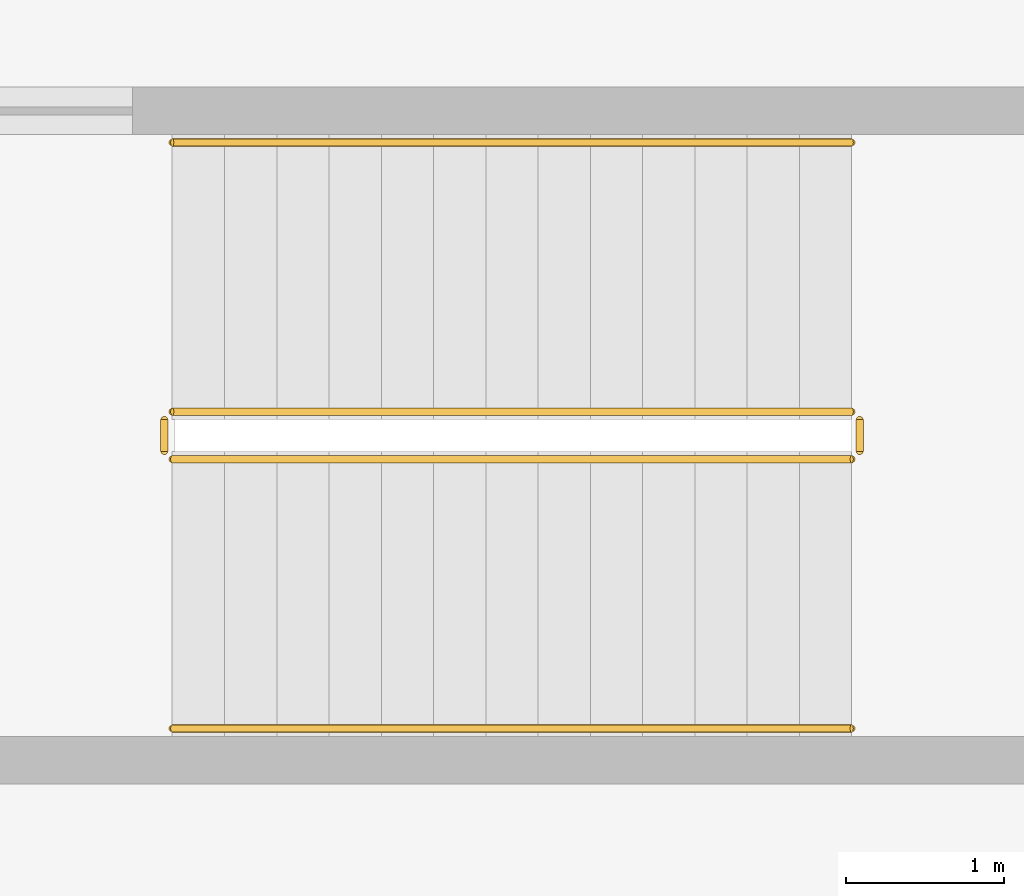
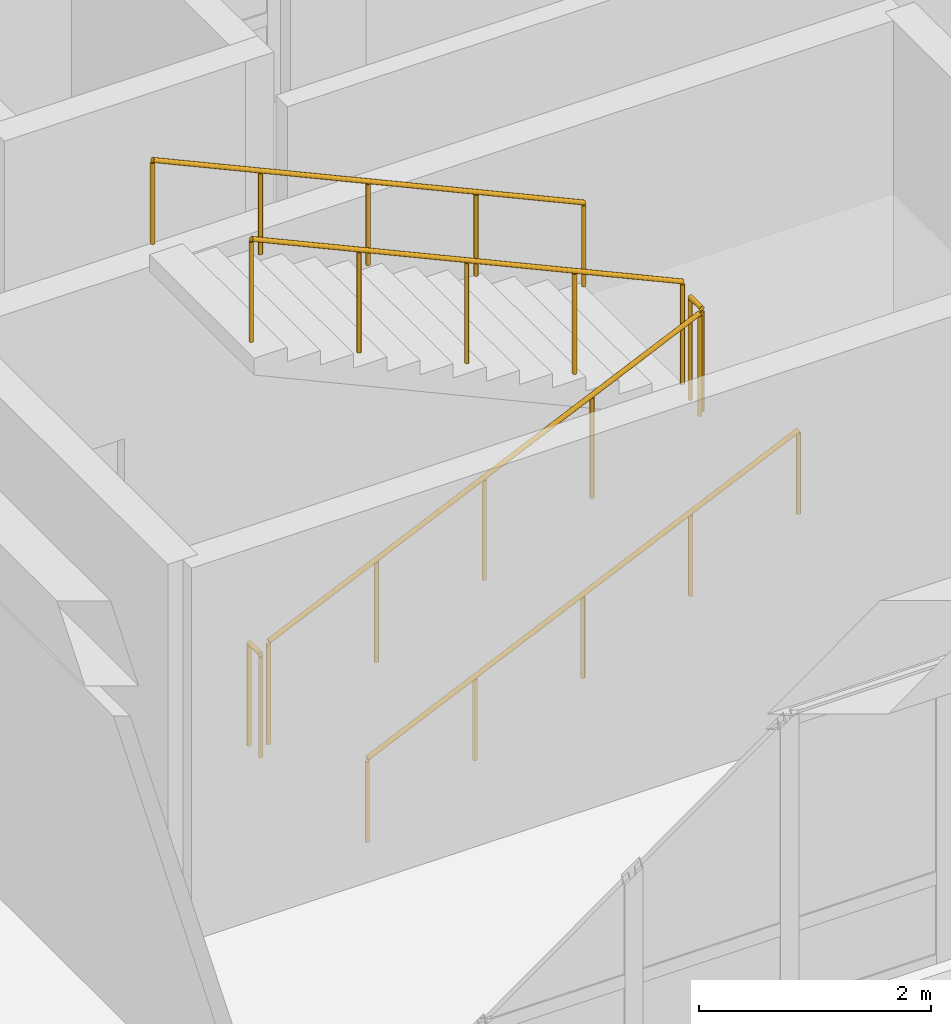
# One storey, part 144 of 147: 6 railings.
"""IFC4 building model written with IfcOpenShell, lengths in metres."""

import ifcopenshell
import ifcopenshell.guid

model = None  # the IFC model being written
_history = None  # IfcOwnerHistory: only IFC2X3 demands one
_inside = {}  # id of a spatial element -> (the spatial element, [elements in it])
_under = {}  # id of a project, library or spatial element -> (it, [spatial elements below it])
_declared = {}  # id of a project -> (the project, [libraries it declares])
_typed = {}  # id of a type object -> (the type object, [elements of that type])
_made_of = {}  # id of a material, layer set ... -> (it, [elements and type objects made of it])


def new_model(schema):
    """Start an empty IFC model of exactly this schema.

    Asked for "IFC4X3", IfcOpenShell would pick the latest addendum, in which some entities
    have other attributes; the version numbers below select the first issue.
    IFC2X3 requires an IfcOwnerHistory on every rooted entity: one is made here for all.
    """
    global model, _history
    if schema == "IFC4X3":
        model = ifcopenshell.file(schema_version=(4, 3, 0, 0))
    else:
        model = ifcopenshell.file(schema=schema)
    _inside.clear()
    _under.clear()
    _declared.clear()
    _typed.clear()
    _made_of.clear()
    _history = None
    if model.schema == "IFC2X3":
        org = make("IfcOrganization", Name="unknown")
        user = make(
            "IfcPersonAndOrganization",
            ThePerson=make("IfcPerson", FamilyName="unknown"),
            TheOrganization=org,
        )
        app = make(
            "IfcApplication",
            ApplicationDeveloper=org,
            Version="unknown",
            ApplicationFullName="unknown",
            ApplicationIdentifier="unknown",
        )
        _history = make(
            "IfcOwnerHistory",
            OwningUser=user,
            OwningApplication=app,
            ChangeAction="ADDED",
            CreationDate=0,
        )
    return model


def make(cls, **values):
    """One entity of the class cls with the attributes given. An attribute that is None is left unset."""
    return model.create_entity(
        cls, **{name: value for name, value in values.items() if value is not None}
    )


def rooted(cls, **values):
    """An entity with a GlobalId (a new one), such as an element, a storey or a relation."""
    return make(cls, GlobalId=ifcopenshell.guid.new(), OwnerHistory=_history, **values)


def si_unit(unit_type, name, prefix=None):
    """IfcSIUnit, for example si_unit("LENGTHUNIT", "METRE", prefix="MILLI")."""
    return make("IfcSIUnit", UnitType=unit_type, Prefix=prefix, Name=name)


def assignment(units):
    """IfcUnitAssignment: the units of a project."""
    return None if units is None else make("IfcUnitAssignment", Units=units)


def point(xyz):
    """IfcCartesianPoint."""
    return None if xyz is None else make("IfcCartesianPoint", Coordinates=xyz)


def direction(xyz):
    """IfcDirection."""
    return None if xyz is None else make("IfcDirection", DirectionRatios=xyz)


def frame(location, z_axis=None, x_axis=None):
    """IfcAxis2Placement3D, a coordinate frame: its origin and axes. An axis left out is left unset."""
    return make(
        "IfcAxis2Placement3D",
        Location=point(location),
        Axis=direction(z_axis),
        RefDirection=direction(x_axis),
    )


def frame_2d(location, x_axis=None):
    """IfcAxis2Placement2D, a coordinate frame in the plane: its origin and x axis."""
    return make(
        "IfcAxis2Placement2D", Location=point(location), RefDirection=direction(x_axis)
    )


def origin():
    """The frame at (0, 0, 0) with its axes left unset."""
    return frame((0.0, 0.0, 0.0))


def origin_2d():
    """The frame at (0, 0) in the plane with its x axis left unset."""
    return frame_2d((0.0, 0.0))


def place(relative_to, where):
    """IfcLocalPlacement: puts the frame where relative to a parent placement (None: the world)."""
    return make(
        "IfcLocalPlacement", PlacementRelTo=relative_to, RelativePlacement=where
    )


def context(
    kind, dimensions, precision=None, world=None, true_north=None, identifier=None
):
    """IfcGeometricRepresentationContext, for example the 3D "Model" context."""
    return make(
        "IfcGeometricRepresentationContext",
        ContextIdentifier=identifier,
        ContextType=kind,
        CoordinateSpaceDimension=dimensions,
        Precision=precision,
        WorldCoordinateSystem=world,
        TrueNorth=true_north,
    )


def subcontext(parent, identifier, kind, view, scale=None):
    """IfcGeometricRepresentationSubContext, for example "Body" below "Model"."""
    return make(
        "IfcGeometricRepresentationSubContext",
        ContextIdentifier=identifier,
        ContextType=kind,
        ParentContext=parent,
        TargetScale=scale,
        TargetView=view,
    )


def project(units=None, contexts=None):
    """IfcProject with its units and contexts."""
    return rooted(
        "IfcProject",
        Name="project",
        RepresentationContexts=contexts,
        UnitsInContext=assignment(units),
    )


def spatial(cls, under=None, at=None, **own):
    """A site, building, storey or space (cls), placed at a placement, below another one or the project."""
    s = rooted(cls, ObjectPlacement=at, **own)
    if under is not None:
        _under.setdefault(under.id(), (under, []))[1].append(s)
    return s


def profile(cls, at=None, kind="AREA", **sizes):
    """A parametric profile (cls). Its sizes go by their IFC names, for example OverallWidth=200.0."""
    return make(cls, ProfileType=kind, Position=at, **sizes)


def circle(**sizes):
    """IfcCircleProfileDef."""
    return profile("IfcCircleProfileDef", **sizes)


def extrude(swept, where, along, depth):
    """IfcExtrudedAreaSolid: the profile swept, set in the frame where, extruded along a direction by depth."""
    return make(
        "IfcExtrudedAreaSolid",
        SweptArea=swept,
        Position=where,
        ExtrudedDirection=direction(along),
        Depth=depth,
    )


def shape(context_of_items, identifier, shape_type, items):
    """IfcShapeRepresentation: the items that make up one representation, for example the "Body"."""
    return make(
        "IfcShapeRepresentation",
        ContextOfItems=context_of_items,
        RepresentationIdentifier=identifier,
        RepresentationType=shape_type,
        Items=items,
    )


def material(Name=None, Category=None):
    """IfcMaterial."""
    return make("IfcMaterial", Name=Name, Category=Category)


def layer(
    of_material, thickness, ventilated=None, Name=None, Category=None, Priority=None
):
    """IfcMaterialLayer: one layer of a wall or slab, of a material (None: an air gap)."""
    return make(
        "IfcMaterialLayer",
        Material=of_material,
        LayerThickness=thickness,
        IsVentilated=ventilated,
        Name=Name,
        Category=Category,
        Priority=Priority,
    )


def layer_set(layers, Name=None):
    """IfcMaterialLayerSet."""
    return make("IfcMaterialLayerSet", MaterialLayers=layers, LayerSetName=Name)


def made_of(thing, what):
    """Note that an element or type object is made of a material, layer set ...; save() writes the relation."""
    if what is not None:
        _made_of.setdefault(what.id(), (what, []))[1].append(thing)
    return thing


def type_object(cls, material=None, **own):
    """A type object (cls), such as IfcWallType, which elements share."""
    return made_of(rooted(cls, **own), material)


def element(
    cls,
    number,
    at=None,
    inside=None,
    cuts=None,
    type_object=None,
    material=None,
    context=None,
    identifier="Body",
    shape_type=None,
    held_by="IfcProductDefinitionShape",
    body=None,
    shapes=None,
    **own,
):
    """One element of the class cls, such as IfcWall. Its Tag is "e" and its number.

    at: its placement. inside: the storey or other place that contains it. cuts: it is an
    opening in that element (IfcRelVoidsElement). A single representation is given by context,
    identifier, shape_type and body (its items); several are given by shapes. held_by: the class
    of the entity that holds the representations. save() writes the other relations.
    """
    e = rooted(cls, Tag="e%d" % number, ObjectPlacement=at, **own)
    if body is not None:
        shapes = [shape(context, identifier, shape_type, body)]
    if shapes is not None:
        e.Representation = make(held_by, Representations=shapes)
    if inside is not None:
        _inside.setdefault(inside.id(), (inside, []))[1].append(e)
    if cuts is not None:
        rooted(
            "IfcRelVoidsElement", RelatingBuildingElement=cuts, RelatedOpeningElement=e
        )
    if type_object is not None:
        _typed.setdefault(type_object.id(), (type_object, []))[1].append(e)
    return made_of(e, material)


def aggregate(whole, parts):
    """IfcRelAggregates: a whole, such as a stair, and the parts it consists of."""
    return rooted("IfcRelAggregates", RelatingObject=whole, RelatedObjects=parts)


def save(model, path):
    """Write the relations noted so far, then the file.

    IfcRelAggregates (storeys below a building ...), IfcRelContainedInSpatialStructure (elements
    in a storey), IfcRelDefinesByType, IfcRelAssociatesMaterial and IfcRelDeclares: one each for
    every whole, place, type object, material and project.
    """
    for whole, parts in _under.values():
        aggregate(whole, parts)
    for where, things in _inside.values():
        rooted(
            "IfcRelContainedInSpatialStructure",
            RelatedElements=things,
            RelatingStructure=where,
        )
    for kind, things in _typed.values():
        rooted("IfcRelDefinesByType", RelatedObjects=things, RelatingType=kind)
    for what, things in _made_of.values():
        rooted("IfcRelAssociatesMaterial", RelatedObjects=things, RelatingMaterial=what)
    for by, libraries in _declared.values():
        rooted("IfcRelDeclares", RelatingContext=by, RelatedDefinitions=libraries)
    model.write(path)


model = new_model("IFC4")

# Units and contexts
model_context = context("Model", 3, precision=1e-05, world=origin(), true_north=direction((0.0, 1.0)))
body_context = subcontext(model_context, "Body", "Model", "MODEL_VIEW")
ifc_project = project(units=[si_unit("LENGTHUNIT", "METRE"), si_unit("AREAUNIT", "SQUARE_METRE"), si_unit("VOLUMEUNIT", "CUBIC_METRE"), si_unit("PLANEANGLEUNIT", "RADIAN"), si_unit("MASSUNIT", "GRAM", prefix="KILO")], contexts=[model_context])

# Site, building, storey
site_placement = place(None, origin())
site = spatial("IfcSite", under=ifc_project, at=site_placement, CompositionType="ELEMENT")
building_placement = place(site_placement, origin())
building = spatial("IfcBuilding", under=site, at=building_placement, Name="Malvenik Polytechnic", CompositionType="ELEMENT")
storey_placement = place(building_placement, frame((0.0, 0.0, 5.10009765625)))
storey = spatial("IfcBuildingStorey", under=building, at=storey_placement, Name="L01", CompositionType="ELEMENT", Elevation=5.10009765625)

# Railings
ifc_material_1 = material(Name="Painted galvanised steel stair well balustrade 1100mm", Category="steel")
ifc_layer_1 = layer(ifc_material_1, 0.050048828125)
ifc_layer_set_1 = layer_set([ifc_layer_1], Name="Painted galvanised steel stair well balustrade 1100mm")
railing_type_1 = type_object("IfcRailingType", Name="ARC-RL-STGD", PredefinedType="BALUSTRADE", material=ifc_layer_set_1)
railing_1_placement = place(storey_placement, frame((53.39990234375, 120.89990234375, 0.14990234375)))
element("IfcRailing", 1, at=railing_1_placement, inside=storey, type_object=railing_type_1, Name="L01 ST-02 stair guard 1", PredefinedType="BALUSTRADE", context=body_context, shape_type="SweptSolid", body=[
    extrude(circle(Radius=0.02392578125, at=origin_2d()), frame((0.0, 0.0, 1.076171875), z_axis=(0.910371800137, 0.0, 0.413791234219), x_axis=(0.0, 1.0, 0.0)), (0.0, 0.0, 1.0), 4.71240234375),
    extrude(circle(Radius=0.02099609375, at=origin_2d()), origin(), (0.0, 0.0, 1.0), 1.052001953125),
    extrude(circle(Radius=0.02099609375, at=origin_2d()), frame((1.072509765625, 0.0, 0.487548828125)), (0.0, 0.0, 1.0), 1.052001953125),
    extrude(circle(Radius=0.02099609375, at=origin_2d()), frame((2.14501953125, 0.0, 0.97509765625)), (0.0, 0.0, 1.0), 1.052001953125),
    extrude(circle(Radius=0.02099609375, at=origin_2d()), frame((3.217529296875, 0.0, 1.46240234375)), (0.0, 0.0, 1.0), 1.052001953125),
    extrude(circle(Radius=0.02099609375, at=origin_2d()), frame((4.2900390625, 0.0, 1.949951171875)), (0.0, 0.0, 1.0), 1.052001953125),
])
railing_2_placement = place(storey_placement, frame((57.739990234375, 120.949951171875, 2.099853515625)))
element("IfcRailing", 2, at=railing_2_placement, inside=storey, type_object=railing_type_1, Name="L01 ST-02 stair guard 2", PredefinedType="BALUSTRADE", context=body_context, shape_type="SweptSolid", body=[
    extrude(circle(Radius=0.02392578125, at=origin_2d()), frame((0.0, 0.0, 1.076171875), z_axis=(0.0, 1.0, 0.0), x_axis=(-1.0, 0.0, 0.0)), (0.0, 0.0, 1.0), 0.199951171875),
    extrude(circle(Radius=0.02099609375, at=origin_2d()), origin(), (0.0, 0.0, 1.0), 1.052001953125),
    extrude(circle(Radius=0.02099609375, at=origin_2d()), frame((0.0, 0.199951171875, 0.0)), (0.0, 0.0, 1.0), 1.052001953125),
])
railing_3_placement = place(storey_placement, frame((57.68994140625, 121.199951171875, 2.25)))
element("IfcRailing", 3, at=railing_3_placement, inside=storey, type_object=railing_type_1, Name="L01 ST-02 stair guard 3", PredefinedType="BALUSTRADE", context=body_context, shape_type="SweptSolid", body=[
    extrude(circle(Radius=0.02392578125, at=origin_2d()), frame((0.0, 0.0, 1.076171875), z_axis=(-0.910371800137, 0.0, 0.413791234219), x_axis=(0.0, -1.0, 0.0)), (0.0, 0.0, 1.0), 4.71240234375),
    extrude(circle(Radius=0.02099609375, at=origin_2d()), origin(), (0.0, 0.0, 1.0), 1.052001953125),
    extrude(circle(Radius=0.02099609375, at=origin_2d()), frame((-1.072509765625, 0.0, 0.487548828125)), (0.0, 0.0, 1.0), 1.052001953125),
    extrude(circle(Radius=0.02099609375, at=origin_2d()), frame((-2.14501953125, 0.0, 0.97509765625)), (0.0, 0.0, 1.0), 1.052001953125),
    extrude(circle(Radius=0.02099609375, at=origin_2d()), frame((-3.217529296875, 0.0, 1.46240234375)), (0.0, 0.0, 1.0), 1.052001953125),
    extrude(circle(Radius=0.02099609375, at=origin_2d()), frame((-4.2900390625, 0.0, 1.949951171875)), (0.0, 0.0, 1.0), 1.052001953125),
])
railing_4_placement = place(storey_placement, frame((53.35009765625, 120.949951171875, 0.0)))
element("IfcRailing", 4, at=railing_4_placement, inside=storey, type_object=railing_type_1, Name="L01 ST-02 stair guard 4", PredefinedType="BALUSTRADE", context=body_context, shape_type="SweptSolid", body=[
    extrude(circle(Radius=0.02392578125, at=origin_2d()), frame((0.0, 0.0, 1.076171875), z_axis=(0.0, 1.0, 0.0), x_axis=(-1.0, 0.0, 0.0)), (0.0, 0.0, 1.0), 0.199951171875),
    extrude(circle(Radius=0.02099609375, at=origin_2d()), origin(), (0.0, 0.0, 1.0), 1.052001953125),
    extrude(circle(Radius=0.02099609375, at=origin_2d()), frame((0.0, 0.199951171875, 0.0)), (0.0, 0.0, 1.0), 1.052001953125),
])
ifc_material_2 = material(Name="Brushed stainless steel 1.4301 stair wall handrail", Category="steel")
ifc_layer_2 = layer(ifc_material_2, 0.044921875)
ifc_layer_set_2 = layer_set([ifc_layer_2], Name="Brushed stainless steel 1.4301 stair wall handrail")
railing_type_2 = type_object("IfcRailingType", Name="ARC-RL-STHR", PredefinedType="HANDRAIL", material=ifc_layer_set_2)
railing_5_placement = place(storey_placement, frame((53.39990234375, 119.199951171875, 0.14990234375)))
element("IfcRailing", 5, at=railing_5_placement, inside=storey, type_object=railing_type_2, Name="L01 ST-02 stair handrail 1", PredefinedType="HANDRAIL", context=body_context, shape_type="SweptSolid", body=[
    extrude(circle(Radius=0.02392578125, at=origin_2d()), frame((0.0, 0.0, 0.8759765625), z_axis=(0.910371800137, 0.0, 0.413791234219), x_axis=(0.0, 1.0, 0.0)), (0.0, 0.0, 1.0), 4.71240234375),
    extrude(circle(Radius=0.02099609375, at=origin_2d()), origin(), (0.0, 0.0, 1.0), 0.851806640625),
    extrude(circle(Radius=0.02099609375, at=origin_2d()), frame((1.072509765625, 0.0, 0.487548828125)), (0.0, 0.0, 1.0), 0.851806640625),
    extrude(circle(Radius=0.02099609375, at=origin_2d()), frame((2.14501953125, 0.0, 0.97509765625)), (0.0, 0.0, 1.0), 0.851806640625),
    extrude(circle(Radius=0.02099609375, at=origin_2d()), frame((3.217529296875, 0.0, 1.46240234375)), (0.0, 0.0, 1.0), 0.851806640625),
    extrude(circle(Radius=0.02099609375, at=origin_2d()), frame((4.2900390625, 0.0, 1.949951171875)), (0.0, 0.0, 1.0), 0.851806640625),
])
railing_6_placement = place(storey_placement, frame((57.68994140625, 122.89990234375, 2.25)))
element("IfcRailing", 6, at=railing_6_placement, inside=storey, type_object=railing_type_2, Name="L01 ST-02 stair handrail 2", PredefinedType="HANDRAIL", context=body_context, shape_type="SweptSolid", body=[
    extrude(circle(Radius=0.02392578125, at=origin_2d()), frame((0.0, 0.0, 0.8759765625), z_axis=(-0.910371800137, 0.0, 0.413791234219), x_axis=(0.0, -1.0, 0.0)), (0.0, 0.0, 1.0), 4.71240234375),
    extrude(circle(Radius=0.02099609375, at=origin_2d()), origin(), (0.0, 0.0, 1.0), 0.851806640625),
    extrude(circle(Radius=0.02099609375, at=origin_2d()), frame((-1.072509765625, 0.0, 0.487548828125)), (0.0, 0.0, 1.0), 0.851806640625),
    extrude(circle(Radius=0.02099609375, at=origin_2d()), frame((-2.14501953125, 0.0, 0.97509765625)), (0.0, 0.0, 1.0), 0.851806640625),
    extrude(circle(Radius=0.02099609375, at=origin_2d()), frame((-3.217529296875, 0.0, 1.46240234375)), (0.0, 0.0, 1.0), 0.851806640625),
    extrude(circle(Radius=0.02099609375, at=origin_2d()), frame((-4.2900390625, 0.0, 1.949951171875)), (0.0, 0.0, 1.0), 0.851806640625),
])

save(model, "model.ifc")
